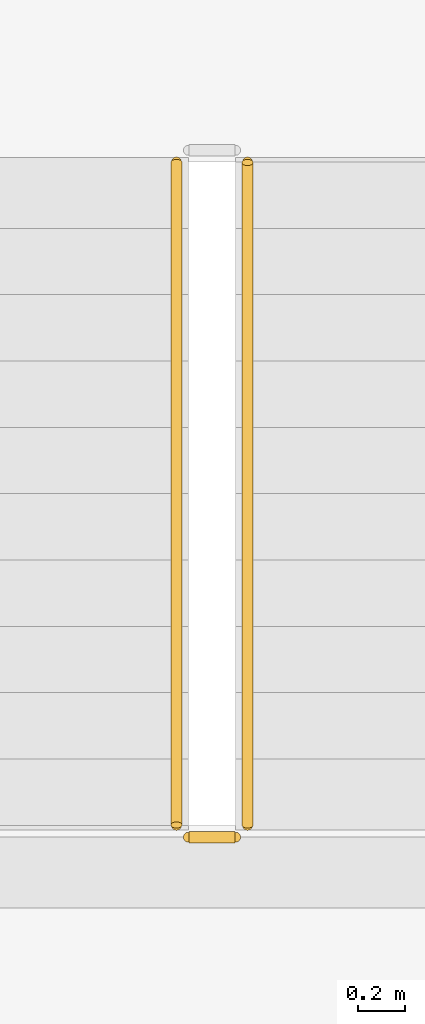
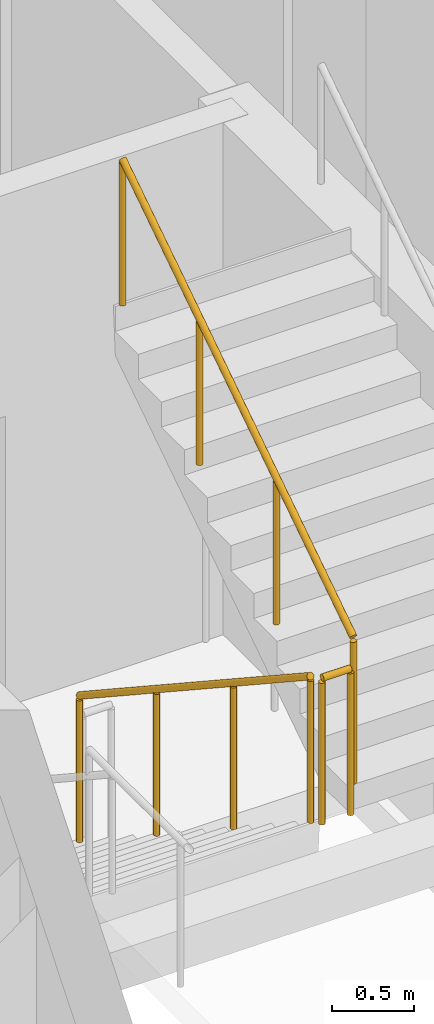
# One storey, part 36 of 39: 3 railings.
"""IFC4 building model written with IfcOpenShell, lengths in metres."""

from ifc_helpers import new_model, si_unit, direction, frame, origin, origin_2d, place, context, subcontext, project, spatial, circle, extrude, material, type_object, element, save


model = new_model("IFC4")

# Units and contexts
model_context = context("Model", 3, precision=1e-05, world=origin(), true_north=direction((0.0, 1.0)))
body_context = subcontext(model_context, "Body", "Model", "MODEL_VIEW")
ifc_project = project(units=[si_unit("LENGTHUNIT", "METRE"), si_unit("AREAUNIT", "SQUARE_METRE"), si_unit("VOLUMEUNIT", "CUBIC_METRE"), si_unit("PLANEANGLEUNIT", "RADIAN"), si_unit("MASSUNIT", "GRAM", prefix="KILO")], contexts=[model_context])

# Site, building, storey
site_placement = place(None, origin())
site = spatial("IfcSite", under=ifc_project, at=site_placement, CompositionType="ELEMENT")
building_placement = place(site_placement, origin())
building = spatial("IfcBuilding", under=site, at=building_placement, Name="Serunith Strait Residences", CompositionType="ELEMENT")
storey_placement = place(building_placement, frame((0.0, 0.0, 329.89990234375)))
storey = spatial("IfcBuildingStorey", under=building, at=storey_placement, Name="L82", CompositionType="ELEMENT", Elevation=329.89990234375)

# Railings
ifc_material = material(Name="Brushed stainless steel 316L", Category="steel")
railing_type = type_object("IfcRailingType", Name="RLG-STAIR-GUARD", PredefinedType="BALUSTRADE", material=ifc_material)
railing_1_placement = place(storey_placement, frame((39.25, 23.3701171875, 0.18408203125)))
element("IfcRailing", 1, at=railing_1_placement, inside=storey, type_object=railing_type, Name="L82 ST-2 stair guard 1", PredefinedType="BALUSTRADE", context=body_context, shape_type="SweptSolid", body=[
    extrude(circle(Radius=0.02392578125, at=origin_2d()), frame((0.0, -0.001708984375, 1.0771484375), z_axis=(0.0, -0.83556406348, 0.549393024911), x_axis=(1.0, 0.0, 0.0)), (0.0, 0.0, 1.0), 3.34716796875),
    extrude(circle(Radius=0.02099609375, at=origin_2d()), origin(), (0.0, 0.0, 1.0), 1.050048828125),
    extrude(circle(Radius=0.02099609375, at=origin_2d()), frame((0.0, -0.933349609375, 0.61376953125)), (0.0, 0.0, 1.0), 1.050048828125),
    extrude(circle(Radius=0.02099609375, at=origin_2d()), frame((0.0, -1.86669921875, 1.227294921875)), (0.0, 0.0, 1.0), 1.050048828125),
    extrude(circle(Radius=0.02099609375, at=origin_2d()), frame((0.0, -2.800048828125, 1.841064453125)), (0.0, 0.0, 1.0), 1.050048828125),
])
railing_2_placement = place(storey_placement, frame((39.300048828125, 20.52001953125, 2.025146484375)))
element("IfcRailing", 2, at=railing_2_placement, inside=storey, type_object=railing_type, Name="L82 ST-2 stair guard 2", PredefinedType="BALUSTRADE", context=body_context, shape_type="SweptSolid", body=[
    extrude(circle(Radius=0.02392578125, at=origin_2d()), frame((0.001953125, 0.0, 1.076171875), z_axis=(1.0, 0.0, 0.0), x_axis=(0.0, 1.0, 0.0)), (0.0, 0.0, 1.0), 0.196044921875),
    extrude(circle(Radius=0.02099609375, at=origin_2d()), origin(), (0.0, 0.0, 1.0), 1.050048828125),
    extrude(circle(Radius=0.02099609375, at=origin_2d()), frame((0.199951171875, 0.0, 0.0)), (0.0, 0.0, 1.0), 1.050048828125),
])
railing_3_placement = place(storey_placement, frame((39.550048828125, 20.570068359375, 2.209228515625)))
element("IfcRailing", 3, at=railing_3_placement, inside=storey, type_object=railing_type, Name="L82 ST-2 stair guard 6", PredefinedType="BALUSTRADE", context=body_context, shape_type="SweptSolid", body=[
    extrude(circle(Radius=0.02392578125, at=origin_2d()), frame((0.0, 0.001708984375, 1.0771484375), z_axis=(0.0, 0.835597507184, 0.549342157483), x_axis=(-1.0, 0.0, 0.0)), (0.0, 0.0, 1.0), 3.346923828125),
    extrude(circle(Radius=0.02099609375, at=origin_2d()), origin(), (0.0, 0.0, 1.0), 1.050048828125),
    extrude(circle(Radius=0.02099609375, at=origin_2d()), frame((0.0, 0.933349609375, 0.613525390625)), (0.0, 0.0, 1.0), 1.050048828125),
    extrude(circle(Radius=0.02099609375, at=origin_2d()), frame((0.0, 1.86669921875, 1.227294921875)), (0.0, 0.0, 1.0), 1.050048828125),
    extrude(circle(Radius=0.02099609375, at=origin_2d()), frame((0.0, 2.800048828125, 1.8408203125)), (0.0, 0.0, 1.0), 1.050048828125),
])

save(model, "model.ifc")
